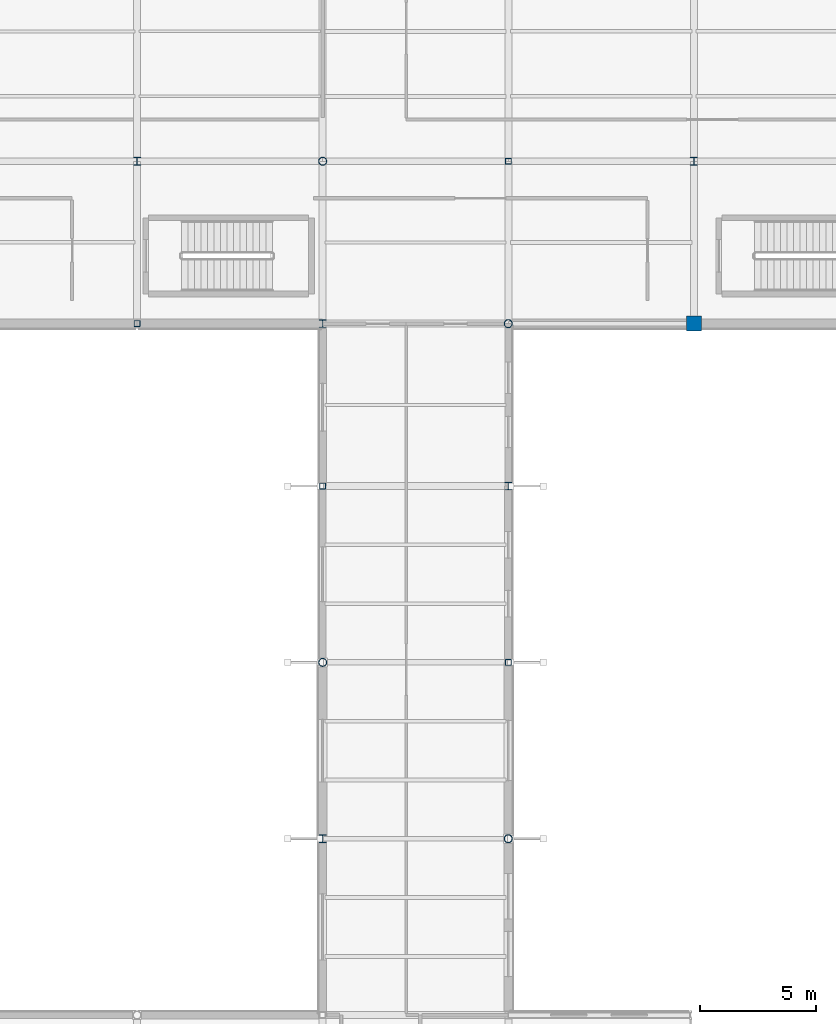
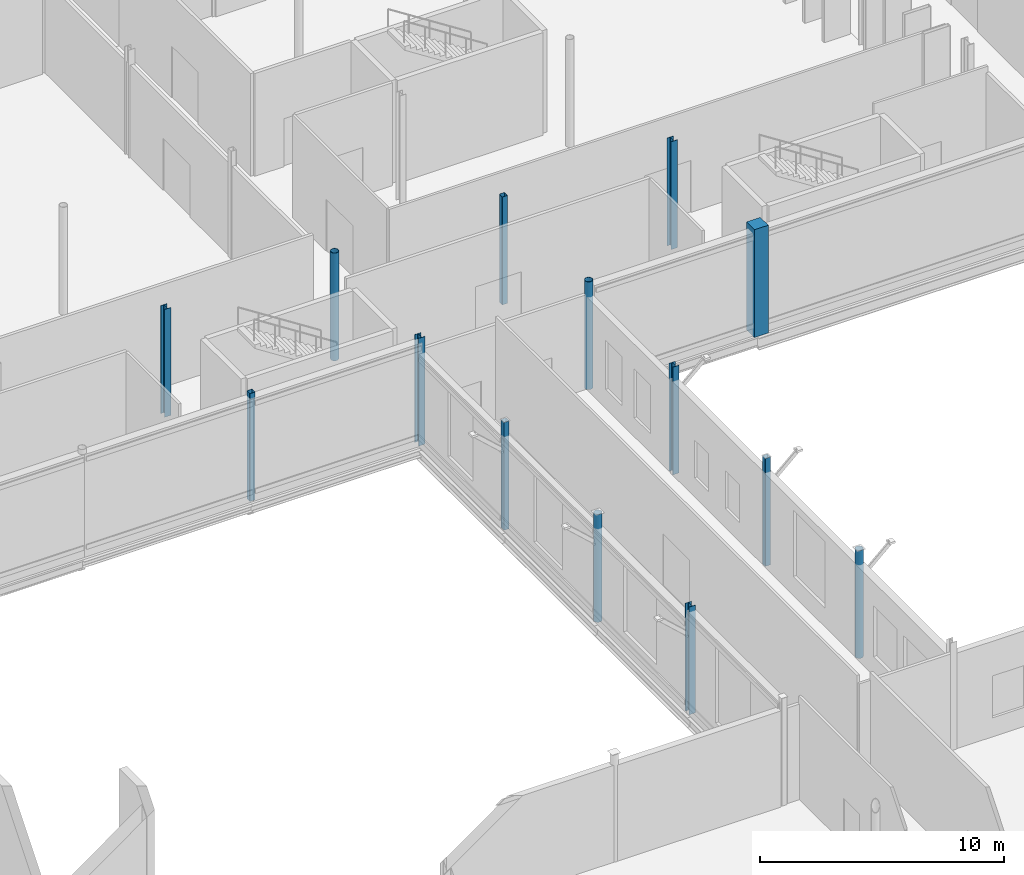
# One storey, part 4 of 147: 14 columns.
"""IFC4 building model written with IfcOpenShell, lengths in metres."""

from ifc_helpers import new_model, si_unit, direction, frame, origin, origin_2d, place, context, subcontext, project, spatial, rectangle, hollow_rectangle, hollow_circle, i_section, extrude, material, material_profile, profile_set, type_object, element, save


model = new_model("IFC4")

# Units and contexts
model_context = context("Model", 3, precision=1e-05, world=origin(), true_north=direction((0.0, 1.0)))
body_context = subcontext(model_context, "Body", "Model", "MODEL_VIEW")
ifc_project = project(units=[si_unit("LENGTHUNIT", "METRE"), si_unit("AREAUNIT", "SQUARE_METRE"), si_unit("VOLUMEUNIT", "CUBIC_METRE"), si_unit("PLANEANGLEUNIT", "RADIAN"), si_unit("MASSUNIT", "GRAM", prefix="KILO")], contexts=[model_context])

# Site, building, storey
site_placement = place(None, origin())
site = spatial("IfcSite", under=ifc_project, at=site_placement, CompositionType="ELEMENT")
building_placement = place(site_placement, origin())
building = spatial("IfcBuilding", under=site, at=building_placement, Name="Vekula Escarpment Museum", CompositionType="ELEMENT")
storey_placement = place(building_placement, frame((0.0, 0.0, 7.800048828125)))
storey = spatial("IfcBuildingStorey", under=building, at=storey_placement, Name="L02", CompositionType="ELEMENT", Elevation=7.800048828125)

# Columns
ifc_material_1 = material(Name="Steel S355", Category="steel")
ifc_material_profile_1 = material_profile(ifc_material_1, hollow_circle(Radius=0.177734375, WallThickness=0.01611328125, at=origin_2d()), Name="CHS 355.6x16")
ifc_profile_set_1 = profile_set([ifc_material_profile_1], Name="Steel S355")
column_type_1 = type_object("IfcColumnType", Name="COL-S-CHS355", PredefinedType="COLUMN", material=ifc_profile_set_1)
for number, where, z_axis, x_axis, name in (
    (1, (40.0, 38.0, 0.0), (0.0, 0.0, 1.0), (1.0, 0.0, 0.0), "Column L02 (40.0,38.0)"),
    (2, (40.0, 59.60009765625, 0.0), (0.0, 0.0, 1.0), (1.0, 0.0, 0.0), "Column L02 (40.0,59.6)"),
    (3, (48.0, 30.39990234375, 0.0), (0.0, 0.0, 1.0), (1.0, 0.0, 0.0), "Column L02 (48.0,30.4)"),
    (4, (48.0, 52.60009765625, 0.0), (0.0, 0.0, 1.0), (1.0, 0.0, 0.0), "Column L02 (48.0,52.6)"),
):
    element("IfcColumn", number, at=place(storey_placement, frame(where, z_axis=z_axis, x_axis=x_axis)), inside=storey, type_object=column_type_1, Name=name, PredefinedType="COLUMN", context=body_context, shape_type="SweptSolid", body=[
        extrude(hollow_circle(Radius=0.177734375, WallThickness=0.01611328125, at=origin_2d()), origin(), (0.0, 0.0, 1.0), 5.39990234375),
    ])
ifc_material_2 = material(Name="Steel S355", Category="steel")
ifc_material_profile_2 = material_profile(ifc_material_2, i_section(OverallWidth=0.300048828125, OverallDepth=0.330078125, WebThickness=0.009521484375, FlangeThickness=0.0166015625, FilletRadius=0.027099609375, at=origin_2d()), Name="HEA 340")
ifc_profile_set_2 = profile_set([ifc_material_profile_2], Name="Steel S355")
column_type_2 = type_object("IfcColumnType", Name="COL-S-HEA340", PredefinedType="COLUMN", material=ifc_profile_set_2)
for number, where, z_axis, x_axis, name in (
    (5, (32.0, 59.60009765625, 0.0), (0.0, 0.0, 1.0), (1.0, 0.0, 0.0), "Column L02 (32.0,59.6)"),
    (6, (40.0, 30.39990234375, 0.0), (0.0, 0.0, 1.0), (1.0, 0.0, 0.0), "Column L02 (40.0,30.4)"),
    (7, (40.0, 52.60009765625, 0.0), (0.0, 0.0, 1.0), (1.0, 0.0, 0.0), "Column L02 (40.0,52.6)"),
    (8, (48.0, 45.60009765625, 0.0), (0.0, 0.0, 1.0), (1.0, 0.0, 0.0), "Column L02 (48.0,45.6)"),
    (9, (56.0, 59.60009765625, 0.0), (0.0, 0.0, 1.0), (1.0, 0.0, 0.0), "Column L02 (56.0,59.6)"),
):
    element("IfcColumn", number, at=place(storey_placement, frame(where, z_axis=z_axis, x_axis=x_axis)), inside=storey, type_object=column_type_2, Name=name, PredefinedType="COLUMN", context=body_context, shape_type="SweptSolid", body=[
        extrude(i_section(OverallWidth=0.300048828125, OverallDepth=0.330078125, WebThickness=0.009521484375, FlangeThickness=0.0166015625, FilletRadius=0.027099609375, at=origin_2d()), origin(), (0.0, 0.0, 1.0), 5.39990234375),
    ])
ifc_material_3 = material(Name="Steel S355", Category="steel")
ifc_material_profile_3 = material_profile(ifc_material_3, hollow_rectangle(XDim=0.260009765625, YDim=0.260009765625, WallThickness=0.012451171875, InnerFilletRadius=0.012451171875, OuterFilletRadius=0.02490234375, at=origin_2d()), Name="SHS 260x260x12.5")
ifc_profile_set_3 = profile_set([ifc_material_profile_3], Name="Steel S355")
column_type_3 = type_object("IfcColumnType", Name="COL-S-SHS260", PredefinedType="COLUMN", material=ifc_profile_set_3)
for number, where, z_axis, x_axis, name in (
    (10, (32.0, 52.60009765625, 0.0), (0.0, 0.0, 1.0), (1.0, 0.0, 0.0), "Column L02 (32.0,52.6)"),
    (11, (40.0, 45.60009765625, 0.0), (0.0, 0.0, 1.0), (1.0, 0.0, 0.0), "Column L02 (40.0,45.6)"),
    (12, (48.0, 38.0, 0.0), (0.0, 0.0, 1.0), (1.0, 0.0, 0.0), "Column L02 (48.0,38.0)"),
    (13, (48.0, 59.60009765625, 0.0), (0.0, 0.0, 1.0), (1.0, 0.0, 0.0), "Column L02 (48.0,59.6)"),
):
    element("IfcColumn", number, at=place(storey_placement, frame(where, z_axis=z_axis, x_axis=x_axis)), inside=storey, type_object=column_type_3, Name=name, PredefinedType="COLUMN", context=body_context, shape_type="SweptSolid", body=[
        extrude(hollow_rectangle(XDim=0.260009765625, YDim=0.260009765625, WallThickness=0.012451171875, InnerFilletRadius=0.012451171875, OuterFilletRadius=0.02490234375, at=origin_2d()), origin(), (0.0, 0.0, 1.0), 5.39990234375),
    ])
ifc_material_4 = material(Name="Inkisi arkosic sandstone masonry", Category="masonry")
ifc_material_profile_4 = material_profile(ifc_material_4, rectangle(XDim=0.64990234375, YDim=0.64990234375, at=origin_2d()), Name="PIER 650x650")
ifc_profile_set_4 = profile_set([ifc_material_profile_4], Name="Inkisi arkosic sandstone masonry")
column_type_4 = type_object("IfcColumnType", Name="PIL-ALM-650", PredefinedType="PILASTER", material=ifc_profile_set_4)
column_placement = place(storey_placement, frame((56.0, 52.60009765625, 0.0), z_axis=(0.0, 0.0, 1.0), x_axis=(1.0, 0.0, 0.0)))
element("IfcColumn", 14, at=column_placement, inside=storey, type_object=column_type_4, Name="Column L02 (56.0,52.6)", PredefinedType="PILASTER", context=body_context, shape_type="SweptSolid", body=[
    extrude(rectangle(XDim=0.64990234375, YDim=0.64990234375, at=origin_2d()), origin(), (0.0, 0.0, 1.0), 5.39990234375),
])

save(model, "model.ifc")
